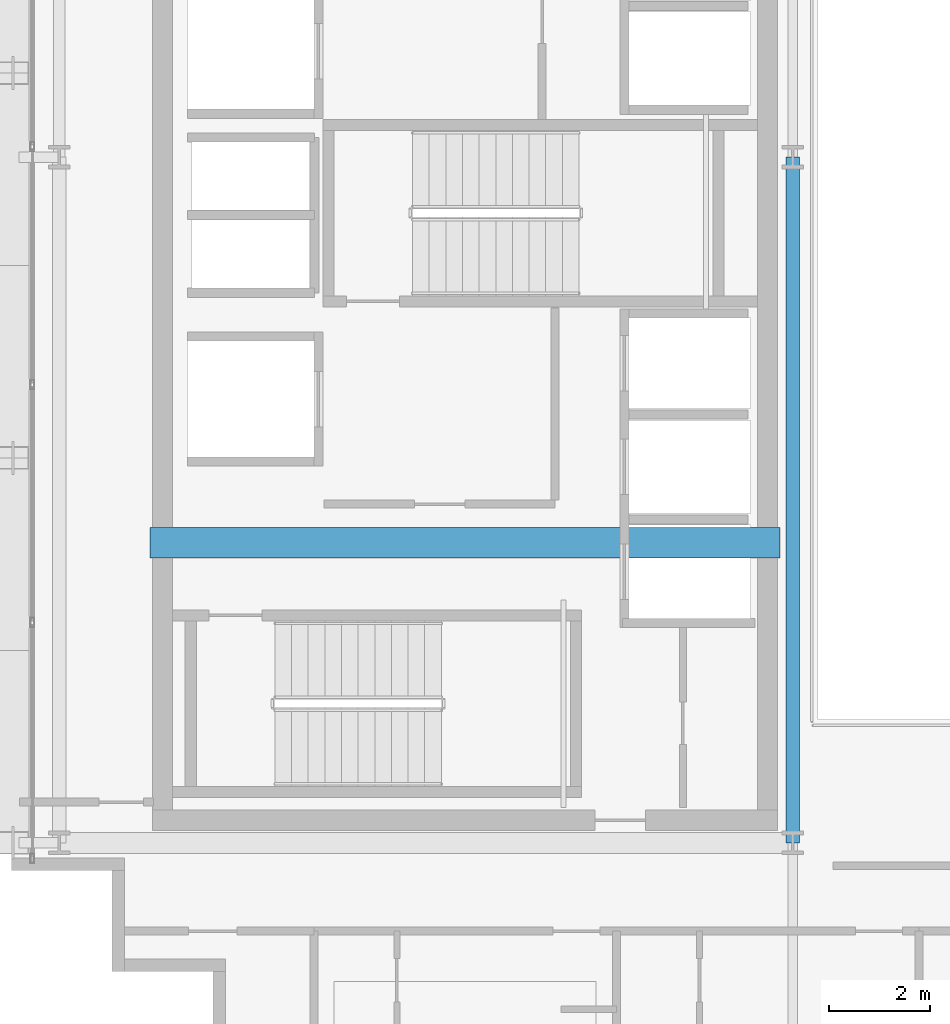
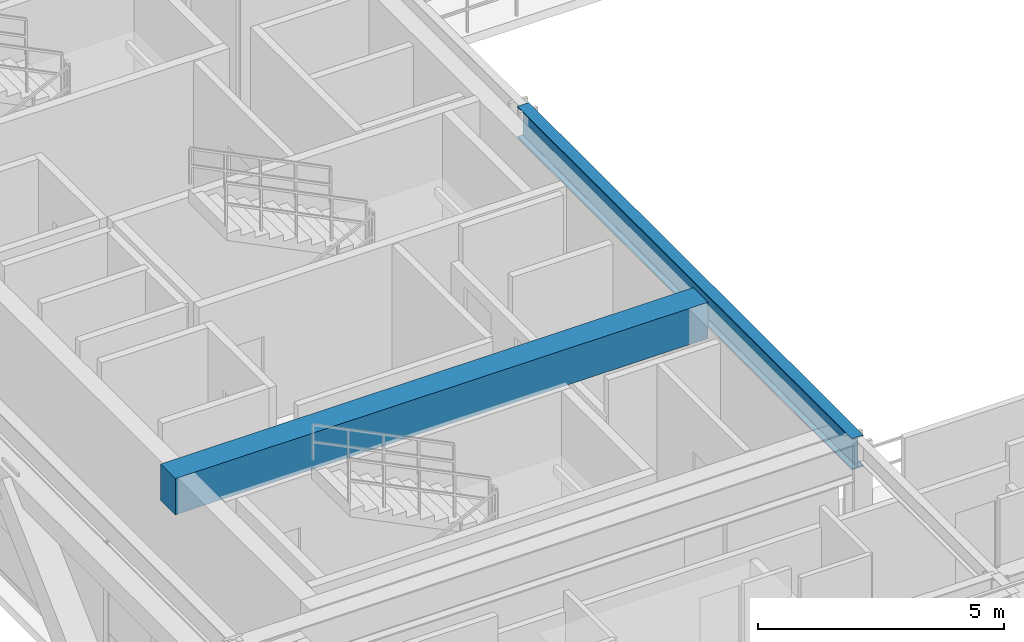
# One storey, part 4 of 28: 2 beams.
"""IFC4 building model written with IfcOpenShell, lengths in metres."""

from ifc_helpers import new_model, si_unit, direction, frame, origin, origin_2d, place, context, subcontext, project, spatial, rectangle, i_section, extrude, source, transform, mapped, material, material_profile, profile_set, type_object, element, save


model = new_model("IFC4")

# Units and contexts
model_context = context("Model", 3, precision=1e-05, world=origin(), true_north=direction((0.0, 1.0)))
body_context = subcontext(model_context, "Body", "Model", "MODEL_VIEW")
ifc_project = project(units=[si_unit("LENGTHUNIT", "METRE"), si_unit("AREAUNIT", "SQUARE_METRE"), si_unit("VOLUMEUNIT", "CUBIC_METRE"), si_unit("PLANEANGLEUNIT", "RADIAN"), si_unit("MASSUNIT", "GRAM", prefix="KILO")], contexts=[model_context])

# Site, building, storey
site_placement = place(None, origin())
site = spatial("IfcSite", under=ifc_project, at=site_placement, CompositionType="ELEMENT")
building_placement = place(site_placement, origin())
building = spatial("IfcBuilding", under=site, at=building_placement, Name="Ocotamira Hotel", CompositionType="ELEMENT")
storey_placement = place(building_placement, frame((0.0, 0.0, 240.0)))
storey = spatial("IfcBuildingStorey", under=building, at=storey_placement, Name="L60", CompositionType="ELEMENT", Elevation=240.0)

# Beams
ifc_material_1 = material(Name="Concrete C50/60", Category="concrete")
ifc_material_profile_1 = material_profile(ifc_material_1, rectangle(XDim=0.60009765625, YDim=0.89990234375, at=origin_2d()), Name="RC600X900")
ifc_profile_set_1 = profile_set([ifc_material_profile_1], Name="Concrete C50/60")
beam_type_1 = type_object("IfcBeamType", Name="BM-LINK-RC600", PredefinedType="LINTEL", material=ifc_profile_set_1)
shared_shape_1 = source(origin(), body_context, "Body", "SweptSolid", [
    extrude(rectangle(XDim=0.60009765625, YDim=0.89990234375, at=origin_2d()), origin(), (0.0, 0.0, 1.0), 12.5),
])
beam_1_placement = place(storey_placement, frame((10.75, 20.5, 2.929931640625), z_axis=(1.0, 0.0, 0.0), x_axis=(0.0, 1.0, 0.0)))
element("IfcBeam", 1, at=beam_1_placement, inside=storey, type_object=beam_type_1, Name="L60 West Core Coupling Beam", PredefinedType="LINTEL", context=body_context, shape_type="MappedRepresentation", body=[
    mapped(shared_shape_1, transform((0.0, 0.0, 0.0), scale=1.0)),
])
ifc_material_2 = material(Name="Steel ASTM A992 Grade 50", Category="steel")
ifc_material_profile_2 = material_profile(ifc_material_2, i_section(OverallWidth=0.26611328125, OverallDepth=0.779052734375, WebThickness=0.0166015625, FlangeThickness=0.030029296875, FilletRadius=0.01806640625, at=origin_2d()), Name="W30X148")
ifc_profile_set_2 = profile_set([ifc_material_profile_2], Name="Steel ASTM A992 Grade 50")
beam_type_2 = type_object("IfcBeamType", Name="BM-GIRD-W30X148", PredefinedType="BEAM", material=ifc_profile_set_2)
shared_shape_2 = source(origin(), body_context, "Body", "SweptSolid", [
    extrude(i_section(OverallWidth=0.26611328125, OverallDepth=0.779052734375, WebThickness=0.0166015625, FlangeThickness=0.030029296875, FilletRadius=0.01806640625, at=origin_2d()), origin(), (0.0, 0.0, 1.0), 13.599853515625),
])
beam_2_placement = place(storey_placement, frame((23.5, 14.550048828125, 2.990478515625), z_axis=(0.0, 1.0, 0.0), x_axis=(-1.0, 0.0, 0.0)))
element("IfcBeam", 2, at=beam_2_placement, inside=storey, type_object=beam_type_2, Name="L60 Beam X23.5 Y14.55-28.15", PredefinedType="BEAM", context=body_context, shape_type="MappedRepresentation", body=[
    mapped(shared_shape_2, transform((0.0, 0.0, 0.0), scale=1.0)),
])

save(model, "model.ifc")
